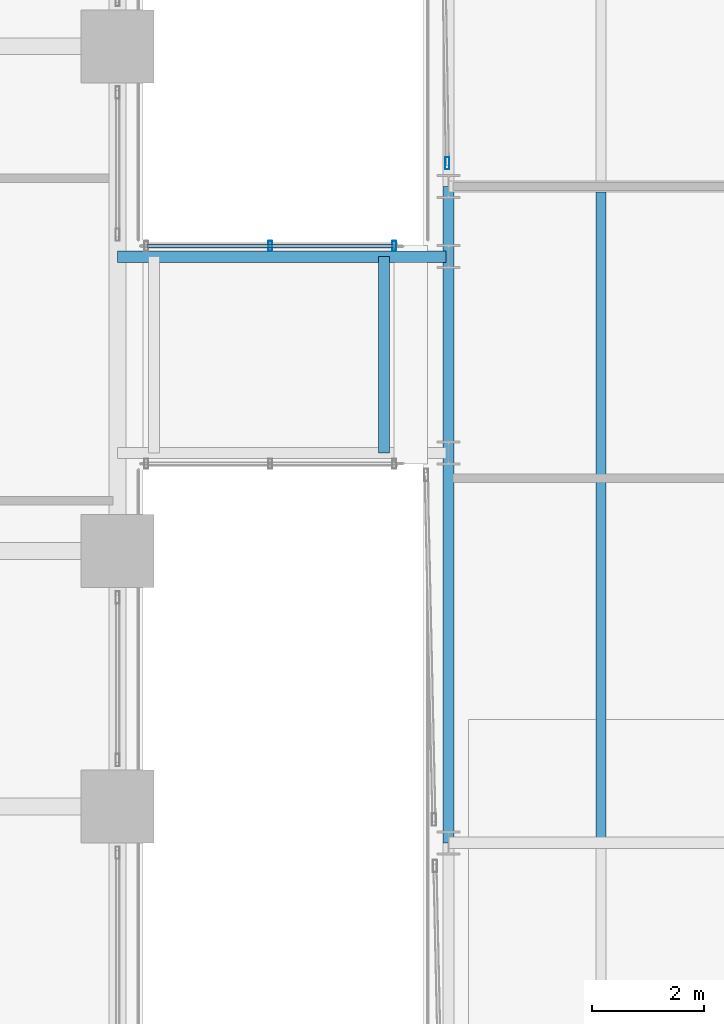
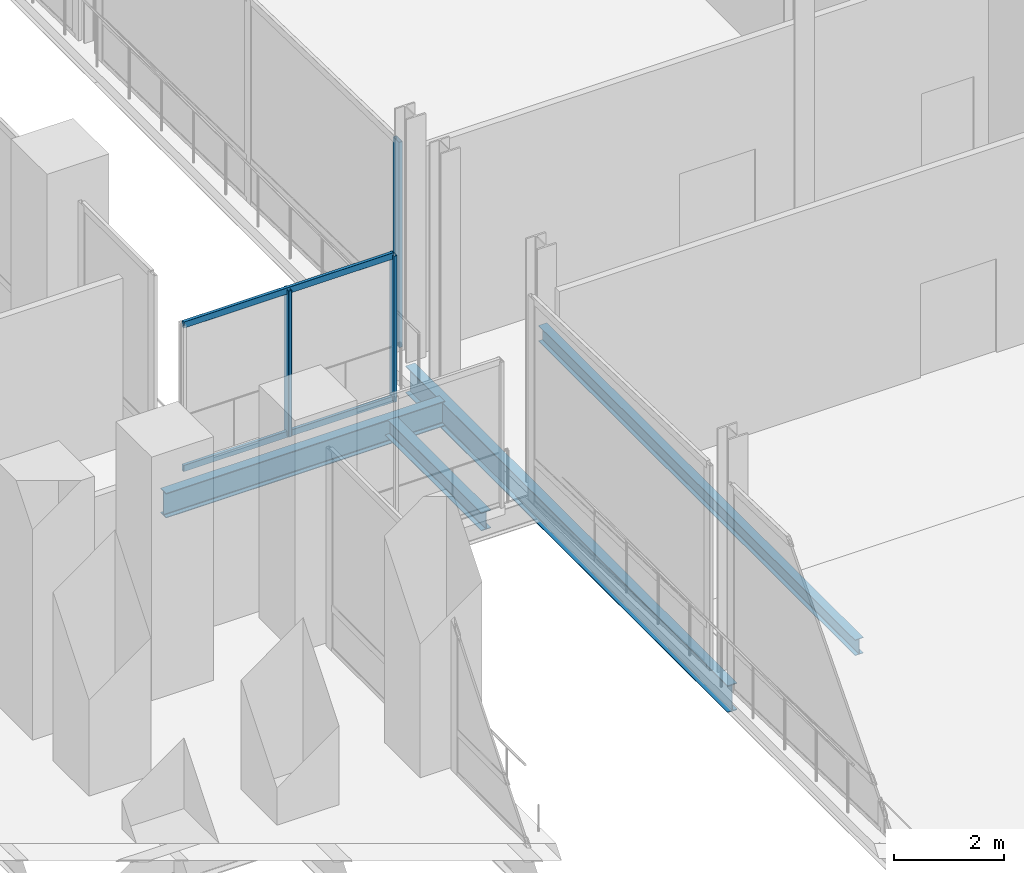
# One storey, part 15 of 30: 5 members, 4 beams, 2 elements without a shape of their own.
"""IFC4 building model written with IfcOpenShell, lengths in metres."""

from ifc_helpers import new_model, si_unit, direction, frame, origin, origin_2d, place, context, subcontext, project, spatial, hollow_rectangle, i_section, extrude, material, material_profile, profile_set, type_object, element, aggregate, save


model = new_model("IFC4")

# Units and contexts
model_context = context("Model", 3, precision=1e-05, world=origin(), true_north=direction((0.0, 1.0)))
body_context = subcontext(model_context, "Body", "Model", "MODEL_VIEW")
ifc_project = project(units=[si_unit("LENGTHUNIT", "METRE"), si_unit("AREAUNIT", "SQUARE_METRE"), si_unit("VOLUMEUNIT", "CUBIC_METRE"), si_unit("PLANEANGLEUNIT", "RADIAN"), si_unit("MASSUNIT", "GRAM", prefix="KILO")], contexts=[model_context])

# Site, building, storey
site_placement = place(None, origin())
site = spatial("IfcSite", under=ifc_project, at=site_placement, CompositionType="ELEMENT")
building_placement = place(site_placement, origin())
building = spatial("IfcBuilding", under=site, at=building_placement, Name="Noeulbin Bourse Tower", CompositionType="ELEMENT")
storey_placement = place(building_placement, frame((0.0, 0.0, 16.60009765625)))
storey = spatial("IfcBuildingStorey", under=building, at=storey_placement, Name="L04", CompositionType="ELEMENT", Elevation=16.60009765625)

# Beams
ifc_material_1 = material(Name="Steel S355", Category="steel")
ifc_material_profile_1 = material_profile(ifc_material_1, i_section(OverallWidth=0.199951171875, OverallDepth=0.550048828125, WebThickness=0.010009765625, FlangeThickness=0.01611328125, FilletRadius=0.02001953125, at=origin_2d()), Name="H-550x200x10x16", Category="LoadBearing")
ifc_profile_set_1 = profile_set([ifc_material_profile_1], Name="Steel S355")
beam_type_1 = type_object("IfcBeamType", Name="BM-GRD-550", PredefinedType="USERDEFINED", material=ifc_profile_set_1)
beam_1_placement = place(storey_placement, frame((54.550048828125, 25.25, -0.47509765625), z_axis=(1.0, 0.0, 0.0), x_axis=(0.0, 1.0, 0.0)))
element("IfcBeam", 1, at=beam_1_placement, inside=storey, type_object=beam_type_1, Name="Link Bridge Girder L04-2", ObjectType="GIRDER", PredefinedType="USERDEFINED", context=body_context, shape_type="SweptSolid", body=[
    extrude(i_section(OverallWidth=0.199951171875, OverallDepth=0.550048828125, WebThickness=0.010009765625, FlangeThickness=0.01611328125, FilletRadius=0.02001953125, at=origin_2d()), origin(), (0.0, 0.0, 1.0), 5.849853515625),
])
ifc_material_profile_2 = material_profile(ifc_material_1, i_section(OverallWidth=0.199951171875, OverallDepth=0.60009765625, WebThickness=0.010986328125, FlangeThickness=0.01708984375, FilletRadius=0.02197265625, at=origin_2d()), Name="H-600x200x11x17", Category="LoadBearing")
ifc_profile_set_2 = profile_set([ifc_material_profile_2], Name="Steel S355")
beam_type_2 = type_object("IfcBeamType", Name="BM-GRD-600", PredefinedType="USERDEFINED", material=ifc_profile_set_2)
beam_2_placement = place(storey_placement, frame((60.449951171875, 14.800048828125, -0.52001953125), z_axis=(0.0, 1.0, 0.0), x_axis=(-1.0, 0.0, 0.0)))
element("IfcBeam", 2, at=beam_2_placement, inside=storey, type_object=beam_type_2, Name="Market Hall Girder NS L04-12", ObjectType="GIRDER", PredefinedType="USERDEFINED", context=body_context, shape_type="SweptSolid", body=[
    extrude(i_section(OverallWidth=0.199951171875, OverallDepth=0.60009765625, WebThickness=0.010986328125, FlangeThickness=0.01708984375, FilletRadius=0.02197265625, at=origin_2d()), origin(), (0.0, 0.0, 1.0), 11.699951171875),
])
ifc_material_profile_3 = material_profile(ifc_material_1, i_section(OverallWidth=0.175048828125, OverallDepth=0.35009765625, WebThickness=0.007080078125, FlangeThickness=0.010986328125, FilletRadius=0.013916015625, at=origin_2d()), Name="H-350x175x7x11", Category="LoadBearing")
ifc_profile_set_3 = profile_set([ifc_material_profile_3], Name="Steel S355")
beam_type_3 = type_object("IfcBeamType", Name="BM-JST-350", PredefinedType="JOIST", material=ifc_profile_set_3)
beam_3_placement = place(storey_placement, frame((63.166748046875, 14.89990234375, -0.39501953125), z_axis=(0.0, 1.0, 0.0), x_axis=(-1.0, 0.0, 0.0)))
element("IfcBeam", 3, at=beam_3_placement, inside=storey, type_object=beam_type_3, Name="Market Hall Secondary Joist L04-02", PredefinedType="JOIST", context=body_context, shape_type="SweptSolid", body=[
    extrude(i_section(OverallWidth=0.175048828125, OverallDepth=0.35009765625, WebThickness=0.007080078125, FlangeThickness=0.010986328125, FilletRadius=0.013916015625, at=origin_2d()), origin(), (0.0, 0.0, 1.0), 11.5),
])
ifc_material_profile_4 = material_profile(ifc_material_1, i_section(OverallWidth=0.199951171875, OverallDepth=0.39990234375, WebThickness=0.008056640625, FlangeThickness=0.012939453125, FilletRadius=0.01611328125, at=origin_2d()), Name="H-400x200x8x13", Category="LoadBearing")
ifc_profile_set_4 = profile_set([ifc_material_profile_4], Name="Steel S355")
beam_type_4 = type_object("IfcBeamType", Name="BM-SEC-400", PredefinedType="BEAM", material=ifc_profile_set_4)
beam_4_placement = place(storey_placement, frame((59.300048828125, 21.75, -0.400146484375), z_axis=(0.0, 1.0, 0.0), x_axis=(-1.0, 0.0, 0.0)))
element("IfcBeam", 4, at=beam_4_placement, inside=storey, type_object=beam_type_4, Name="BM-L04-BRGX-2", PredefinedType="BEAM", context=body_context, shape_type="SweptSolid", body=[
    extrude(i_section(OverallWidth=0.199951171875, OverallDepth=0.39990234375, WebThickness=0.008056640625, FlangeThickness=0.012939453125, FilletRadius=0.01611328125, at=origin_2d()), origin(), (0.0, 0.0, 1.0), 3.5),
])

# Curtain wall, member
ifc_material_2 = material(Name="Laminated Clear Low-E Glass", Category="glass")
curtain_wall_type_1 = type_object("IfcCurtainWallType", Name="CW-SYS-1", PredefinedType="NOTDEFINED", material=ifc_material_2)
curtain_wall_1_placement = place(storey_placement, origin())
curtain_wall_1 = element("IfcCurtainWall", 5, at=curtain_wall_1_placement, inside=storey, type_object=curtain_wall_type_1, Name="Unitised Curtain Wall CW-L04-MKT-W2-S1", PredefinedType="NOTDEFINED")
ifc_material_3 = material(Name="Anodised Aluminium 6063-T6", Category="aluminium")
ifc_material_profile_5 = material_profile(ifc_material_3, hollow_rectangle(XDim=0.074951171875, YDim=0.219970703125, WallThickness=0.0048828125, InnerFilletRadius=0.00244140625, OuterFilletRadius=0.0048828125, at=origin_2d()), Name="ALU-MULL-75x220x5", Category="LoadBearing")
ifc_profile_set_5 = profile_set([ifc_material_profile_5], Name="Anodised Aluminium 6063-T6")
member_type_1 = type_object("IfcMemberType", Name="CW-SYS-1-MUL", PredefinedType="MULLION", material=ifc_profile_set_5)
member_1_placement = place(storey_placement, frame((60.427001953125, 26.9140625, -0.02001953125), z_axis=(0.0, 0.0, 1.0), x_axis=(1.0, 0.0, 0.0)))
member_1 = element("IfcMember", 6, at=member_1_placement, type_object=member_type_1, Name="Curtain Wall Mullion CW-L04-MKT-W2-S1-M00", PredefinedType="MULLION", context=body_context, shape_type="SweptSolid", body=[
    extrude(hollow_rectangle(XDim=0.074951171875, YDim=0.219970703125, WallThickness=0.0048828125, InnerFilletRadius=0.00244140625, OuterFilletRadius=0.0048828125, at=origin_2d()), origin(), (0.0, 0.0, 1.0), 4.5498046875),
])
aggregate(curtain_wall_1, [member_1])

# Curtain wall, members
ifc_material_4 = material(Name="Acoustic Laminated Skylight Glazing", Category="glass")
curtain_wall_type_2 = type_object("IfcCurtainWallType", Name="CW-SYS-6", PredefinedType="NOTDEFINED", material=ifc_material_4)
curtain_wall_2_placement = place(storey_placement, origin())
curtain_wall_2 = element("IfcCurtainWall", 7, at=curtain_wall_2_placement, inside=storey, type_object=curtain_wall_type_2, Name="Unitised Curtain Wall CW-L04-BRG-N", PredefinedType="NOTDEFINED")
ifc_material_profile_6 = material_profile(ifc_material_3, hollow_rectangle(XDim=0.06494140625, YDim=0.179931640625, WallThickness=0.00390625, InnerFilletRadius=0.001953125, OuterFilletRadius=0.00390625, at=origin_2d()), Name="ALU-MULL-65x180x4", Category="LoadBearing")
ifc_profile_set_6 = profile_set([ifc_material_profile_6], Name="Anodised Aluminium 6063-T6")
member_type_2 = type_object("IfcMemberType", Name="CW-SYS-6-MUL", PredefinedType="MULLION", material=ifc_profile_set_6)
member_2_placement = place(storey_placement, frame((57.27001953125, 25.43994140625, -0.02001953125), z_axis=(0.0, 0.0, 1.0), x_axis=(1.0, 0.0, 0.0)))
member_2 = element("IfcMember", 8, at=member_2_placement, type_object=member_type_2, Name="Curtain Wall Mullion CW-L04-BRG-N-M01", PredefinedType="MULLION", context=body_context, shape_type="SweptSolid", body=[
    extrude(hollow_rectangle(XDim=0.06494140625, YDim=0.179931640625, WallThickness=0.00390625, InnerFilletRadius=0.001953125, OuterFilletRadius=0.00390625, at=origin_2d()), origin(), (0.0, 0.0, 1.0), 3.239990234375),
])
member_3_placement = place(storey_placement, frame((59.47998046875, 25.43994140625, -0.02001953125), z_axis=(0.0, 0.0, 1.0), x_axis=(1.0, 0.0, 0.0)))
member_3 = element("IfcMember", 9, at=member_3_placement, type_object=member_type_2, Name="Curtain Wall Mullion CW-L04-BRG-N-M02", PredefinedType="MULLION", context=body_context, shape_type="SweptSolid", body=[
    extrude(hollow_rectangle(XDim=0.06494140625, YDim=0.179931640625, WallThickness=0.00390625, InnerFilletRadius=0.001953125, OuterFilletRadius=0.00390625, at=origin_2d()), origin(), (0.0, 0.0, 1.0), 3.239990234375),
])
ifc_material_profile_7 = material_profile(ifc_material_3, hollow_rectangle(XDim=0.06494140625, YDim=0.139892578125, WallThickness=0.00390625, InnerFilletRadius=0.001953125, OuterFilletRadius=0.00390625, at=origin_2d()), Name="ALU-TRAN-65x140x4", Category="LoadBearing")
ifc_profile_set_7 = profile_set([ifc_material_profile_7], Name="Anodised Aluminium 6063-T6")
member_type_3 = type_object("IfcMemberType", Name="CW-SYS-6-TRN", PredefinedType="USERDEFINED", material=ifc_profile_set_7)
member_4_placement = place(storey_placement, frame((55.070068359375, 25.43994140625, 0.010009765625), z_axis=(1.0, 0.0, 0.0), x_axis=(0.0, 1.0, 0.0)))
member_4 = element("IfcMember", 10, at=member_4_placement, type_object=member_type_3, Name="Curtain Wall Transom CW-L04-BRG-N-T00", ObjectType="TRANSOM", PredefinedType="USERDEFINED", context=body_context, shape_type="SweptSolid", body=[
    extrude(hollow_rectangle(XDim=0.06494140625, YDim=0.139892578125, WallThickness=0.00390625, InnerFilletRadius=0.001953125, OuterFilletRadius=0.00390625, at=origin_2d()), origin(), (0.0, 0.0, 1.0), 4.39990234375),
])
member_5_placement = place(storey_placement, frame((55.070068359375, 25.43994140625, 3.18994140625), z_axis=(1.0, 0.0, 0.0), x_axis=(0.0, 1.0, 0.0)))
member_5 = element("IfcMember", 11, at=member_5_placement, type_object=member_type_3, Name="Curtain Wall Transom CW-L04-BRG-N-T01", ObjectType="TRANSOM", PredefinedType="USERDEFINED", context=body_context, shape_type="SweptSolid", body=[
    extrude(hollow_rectangle(XDim=0.06494140625, YDim=0.139892578125, WallThickness=0.00390625, InnerFilletRadius=0.001953125, OuterFilletRadius=0.00390625, at=origin_2d()), origin(), (0.0, 0.0, 1.0), 4.39990234375),
])
aggregate(curtain_wall_2, [member_2, member_3, member_4, member_5])

save(model, "model.ifc")
